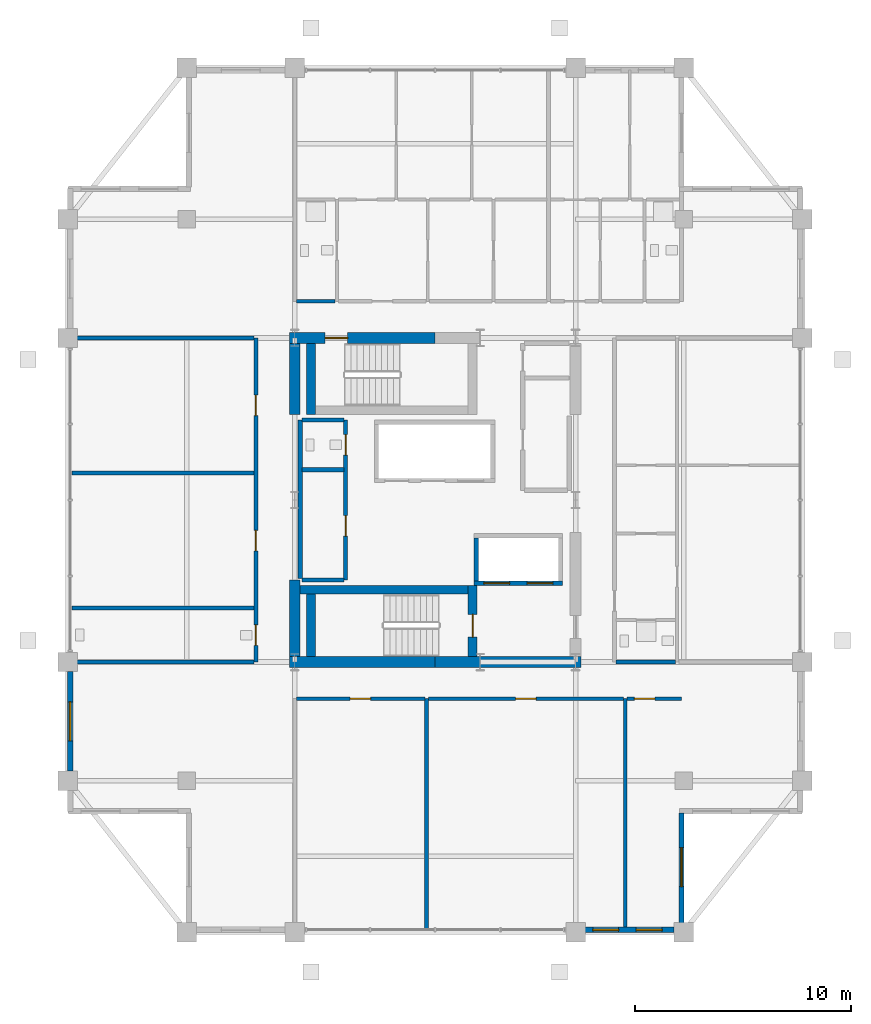
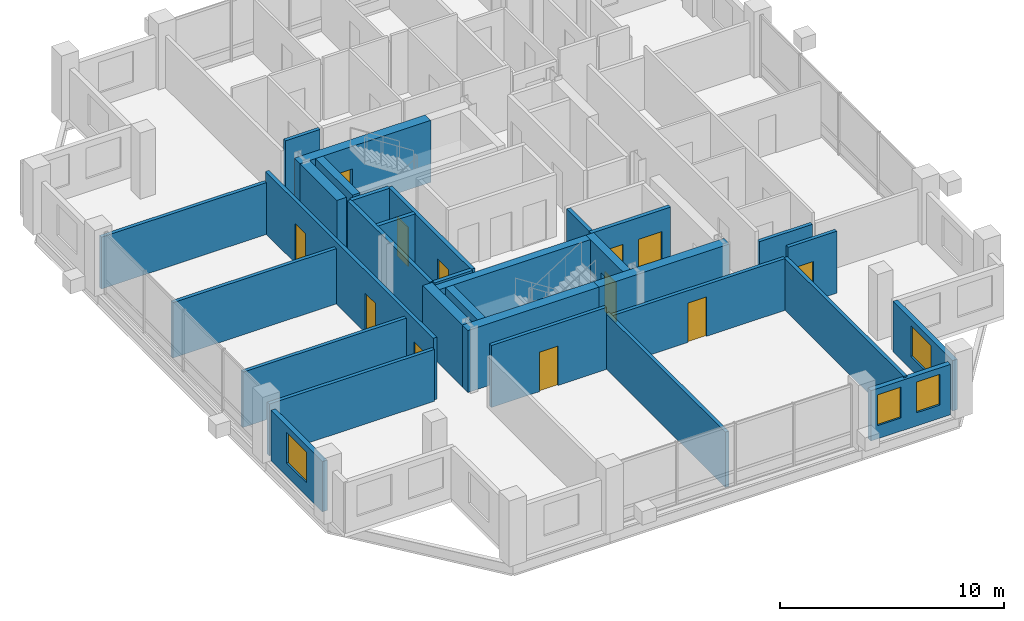
# One storey, part 16 of 21: 31 walls, 12 doors, 4 windows, 16 openings.
"""IFC4 building model written with IfcOpenShell, lengths in metres."""

from ifc_helpers import new_model, si_unit, direction, frame, frame_2d, origin, place, context, subcontext, project, spatial, rectangle, extrude, material, layer, layer_set, type_object, element, fill, save


model = new_model("IFC4")

# Units and contexts
model_context = context("Model", 3, precision=1e-05, world=origin(), true_north=direction((0.0, 1.0)))
body_context = subcontext(model_context, "Body", "Model", "MODEL_VIEW")
ifc_project = project(units=[si_unit("LENGTHUNIT", "METRE"), si_unit("AREAUNIT", "SQUARE_METRE"), si_unit("VOLUMEUNIT", "CUBIC_METRE"), si_unit("PLANEANGLEUNIT", "RADIAN"), si_unit("MASSUNIT", "GRAM", prefix="KILO")], contexts=[model_context])

# Site, building, storey
site_placement = place(None, origin())
site = spatial("IfcSite", under=ifc_project, at=site_placement, CompositionType="ELEMENT")
building_placement = place(site_placement, origin())
building = spatial("IfcBuilding", under=site, at=building_placement, Name="Barlavira Tower and Art Museum", CompositionType="ELEMENT")
storey_placement = place(building_placement, frame((0.0, 0.0, 276.300048828125)))
storey = spatial("IfcBuildingStorey", under=building, at=storey_placement, Name="L72", CompositionType="ELEMENT", Elevation=276.300048828125)

# Walls
ifc_material_1 = material(Name="Concrete C60", Category="concrete")
ifc_layer_1 = layer(ifc_material_1, 0.5, Name="Concrete C60")
ifc_layer_set_1 = layer_set([ifc_layer_1], Name="Concrete C60")
wall_type_1 = type_object("IfcWallType", Name="Core Structural Shear Wall 500 Concrete C60", PredefinedType="SHEAR", material=ifc_layer_set_1)
for number, where, z_axis, x_axis, name in (
    (1, (-6.75, -7.5, 0.0), (0.0, 0.0, 1.0), (1.0, 0.0, 0.0), "L72 Core Shear Wall CS-SW"),
    (2, (0.0, -7.5, 0.0), (0.0, 0.0, 1.0), (1.0, 0.0, 0.0), "L72 Core Shear Wall CS-SE"),
):
    element("IfcWall", number, at=place(storey_placement, frame(where, z_axis=z_axis, x_axis=x_axis)), inside=storey, type_object=wall_type_1, Name=name, PredefinedType="SHEAR", context=body_context, shape_type="SweptSolid", body=[
        extrude(rectangle(XDim=6.75, YDim=0.5, at=frame_2d((3.375, 0.0))), origin(), (0.0, 0.0, 1.0), 3.3798828125),
    ])

# Wall, opening, door
wall_1_placement = place(storey_placement, frame((-6.75, 7.5, 0.0), z_axis=(0.0, 0.0, 1.0), x_axis=(1.0, 0.0, 0.0)))
wall_1 = element("IfcWall", 3, at=wall_1_placement, inside=storey, type_object=wall_type_1, Name="L72 Core Shear Wall CS-NW", PredefinedType="SHEAR", context=body_context, shape_type="SweptSolid", body=[
    extrude(rectangle(XDim=6.75, YDim=0.5, at=frame_2d((3.375, 0.0))), origin(), (0.0, 0.0, 1.0), 3.3798828125),
])
opening_1_placement = place(wall_1_placement, frame((1.64990234375, 0.0, 0.0)))
opening_1 = element("IfcOpeningElement", 4, at=opening_1_placement, cuts=wall_1, Name="Opening FD-90", PredefinedType="OPENING", context=body_context, shape_type="SweptSolid", body=[
    extrude(rectangle(XDim=1.050048828125, YDim=2.14990234375, at=frame_2d((0.52490234375, 1.074951171875))), frame((0.0, 0.260009765625, 0.0), z_axis=(0.0, -1.0, 0.0), x_axis=(1.0, 0.0, 0.0)), (0.0, 0.0, 1.0), 0.52001953125),
])
ifc_material_2 = material(Name="Brushed stainless steel", Category="steel")
door_type_1 = type_object("IfcDoorType", Name="Stair and Refuge Fire Door 1050x2150 FD90S", OperationType="NOTDEFINED", PredefinedType="DOOR", material=ifc_material_2)
door_1_placement = place(opening_1_placement, origin())
door_1 = element("IfcDoor", 5, at=door_1_placement, inside=storey, type_object=door_type_1, Name="L72 Stair ST-T2 Fire Door", OperationType="SINGLE_SWING_LEFT", OverallHeight=2.14990234375, OverallWidth=1.050048828125, PredefinedType="DOOR", context=body_context, shape_type="SweptSolid", body=[
    extrude(rectangle(XDim=1.050048828125, YDim=2.14990234375, at=frame_2d((0.52490234375, 1.074951171875))), frame((0.0, 0.02490234375, 0.0), z_axis=(0.0, -1.0, 0.0), x_axis=(1.0, 0.0, 0.0)), (0.0, 0.0, 1.0), 0.050048828125),
])
fill(opening_1, door_1)

# Walls
wall_2_placement = place(storey_placement, frame((-6.5, -7.25, 0.0), z_axis=(0.0, 0.0, 1.0), x_axis=(0.0, 1.0, 0.0)))
element("IfcWall", 6, at=wall_2_placement, inside=storey, type_object=wall_type_1, Name="L72 Core Shear Wall CS-W1", PredefinedType="SHEAR", context=body_context, shape_type="SweptSolid", body=[
    extrude(rectangle(XDim=3.550048828125, YDim=0.5, at=frame_2d((1.77490234375, 0.0))), origin(), (0.0, 0.0, 1.0), 3.3798828125),
])
wall_3_placement = place(storey_placement, frame((-6.5, 3.949951171875, 0.0), z_axis=(0.0, 0.0, 1.0), x_axis=(0.0, 1.0, 0.0)))
element("IfcWall", 7, at=wall_3_placement, inside=storey, type_object=wall_type_1, Name="L72 Core Shear Wall CS-W2", PredefinedType="SHEAR", context=body_context, shape_type="SweptSolid", body=[
    extrude(rectangle(XDim=3.300048828125, YDim=0.5, at=frame_2d((1.64990234375, 0.0))), origin(), (0.0, 0.0, 1.0), 3.3798828125),
])

# Wall, openings, doors
ifc_material_3 = material(Name="Autoclaved aerated concrete masonry", Category="masonry")
ifc_layer_2 = layer(ifc_material_3, 0.199951171875, Name="Autoclaved aerated concrete masonry")
ifc_layer_set_2 = layer_set([ifc_layer_2], Name="Autoclaved aerated concrete masonry")
wall_type_2 = type_object("IfcWallType", Name="Fire Compartment and Shaft Wall 200", PredefinedType="SOLIDWALL", material=ifc_layer_set_2)
wall_4_placement = place(storey_placement, frame((1.800048828125, -3.85009765625, 0.0), z_axis=(0.0, 0.0, 1.0), x_axis=(1.0, 0.0, 0.0)))
wall_4 = element("IfcWall", 8, at=wall_4_placement, inside=storey, type_object=wall_type_2, Name="L72 Firefighting Lift Front Shaft Wall", PredefinedType="SOLIDWALL", context=body_context, shape_type="SweptSolid", body=[
    extrude(rectangle(XDim=4.099853515625, YDim=0.199951171875, at=frame_2d((2.0498046875, 0.0))), origin(), (0.0, 0.0, 1.0), 3.3798828125),
])
opening_2_placement = place(wall_4_placement, frame((0.449951171875, 0.0, 0.0)))
opening_2 = element("IfcOpeningElement", 9, at=opening_2_placement, cuts=wall_4, Name="Opening LD-F", PredefinedType="OPENING", context=body_context, shape_type="SweptSolid", body=[
    extrude(rectangle(XDim=1.199951171875, YDim=2.199951171875, at=frame_2d((0.60009765625, 1.10009765625))), frame((0.0, 0.10986328125, 0.0), z_axis=(0.0, -1.0, 0.0), x_axis=(1.0, 0.0, 0.0)), (0.0, 0.0, 1.0), 0.219970703125),
])
opening_3_placement = place(wall_4_placement, frame((2.449951171875, 0.0, 0.0)))
opening_3 = element("IfcOpeningElement", 10, at=opening_3_placement, cuts=wall_4, Name="Opening LD-F", PredefinedType="OPENING", context=body_context, shape_type="SweptSolid", body=[
    extrude(rectangle(XDim=1.199951171875, YDim=2.199951171875, at=frame_2d((0.60009765625, 1.10009765625))), frame((0.0, 0.10986328125, 0.0), z_axis=(0.0, -1.0, 0.0), x_axis=(1.0, 0.0, 0.0)), (0.0, 0.0, 1.0), 0.219970703125),
])
door_type_2 = type_object("IfcDoorType", Name="Firefighting and Service Lift Sliding Door 1200x2200 FD120", OperationType="NOTDEFINED", PredefinedType="DOOR", material=ifc_material_2)
door_2_placement = place(opening_2_placement, origin())
door_2 = element("IfcDoor", 11, at=door_2_placement, inside=storey, type_object=door_type_2, Name="L72 Firefighting Lift FF1 Sliding Door", OperationType="DOUBLE_DOOR_SLIDING", OverallHeight=2.199951171875, OverallWidth=1.199951171875, PredefinedType="DOOR", context=body_context, shape_type="SweptSolid", body=[
    extrude(rectangle(XDim=1.199951171875, YDim=2.199951171875, at=frame_2d((0.60009765625, 1.10009765625))), frame((0.0, 0.02490234375, 0.0), z_axis=(0.0, -1.0, 0.0), x_axis=(1.0, 0.0, 0.0)), (0.0, 0.0, 1.0), 0.050048828125),
])
fill(opening_2, door_2)
door_3_placement = place(opening_3_placement, origin())
door_3 = element("IfcDoor", 12, at=door_3_placement, inside=storey, type_object=door_type_2, Name="L72 Firefighting Lift FF2 Sliding Door", OperationType="DOUBLE_DOOR_SLIDING", OverallHeight=2.199951171875, OverallWidth=1.199951171875, PredefinedType="DOOR", context=body_context, shape_type="SweptSolid", body=[
    extrude(rectangle(XDim=1.199951171875, YDim=2.199951171875, at=frame_2d((0.60009765625, 1.10009765625))), frame((0.0, 0.02490234375, 0.0), z_axis=(0.0, -1.0, 0.0), x_axis=(1.0, 0.0, 0.0)), (0.0, 0.0, 1.0), 0.050048828125),
])
fill(opening_3, door_3)

# Walls
wall_5_placement = place(storey_placement, frame((1.89990234375, -3.75, 0.0), z_axis=(0.0, 0.0, 1.0), x_axis=(0.0, 1.0, 0.0)))
element("IfcWall", 13, at=wall_5_placement, inside=storey, type_object=wall_type_2, Name="L72 Firefighting Lift West Shaft Wall", PredefinedType="SOLIDWALL", context=body_context, shape_type="SweptSolid", body=[
    extrude(rectangle(XDim=2.0, YDim=0.199951171875, at=frame_2d((1.0, 0.0))), origin(), (0.0, 0.0, 1.0), 3.3798828125),
])
wall_6_placement = place(storey_placement, frame((-6.25, -3.639892578125, 0.0), z_axis=(0.0, 0.0, 1.0), x_axis=(0.0, 1.0, 0.0)))
element("IfcWall", 14, at=wall_6_placement, inside=storey, type_object=wall_type_2, Name="L72 Partition Wall 4", PredefinedType="SOLIDWALL", context=body_context, shape_type="SweptSolid", body=[
    extrude(rectangle(XDim=7.33984375, YDim=0.199951171875, at=frame_2d((3.669921875, 0.0))), origin(), (0.0, 0.0, 1.0), 3.3798828125),
])

# Wall, openings, doors
wall_7_placement = place(storey_placement, frame((-4.14990234375, -3.699951171875, 0.0), z_axis=(0.0, 0.0, 1.0), x_axis=(0.0, 1.0, 0.0)))
wall_7 = element("IfcWall", 15, at=wall_7_placement, inside=storey, type_object=wall_type_2, Name="L72 Partition Wall 6", PredefinedType="SOLIDWALL", context=body_context, shape_type="SweptSolid", body=[
    extrude(rectangle(XDim=7.39990234375, YDim=0.199951171875, at=frame_2d((3.699951171875, 0.0))), origin(), (0.0, 0.0, 1.0), 3.3798828125),
])
opening_4_placement = place(wall_7_placement, frame((2.02490234375, 0.0, 0.0)))
opening_4 = element("IfcOpeningElement", 16, at=opening_4_placement, cuts=wall_7, Name="Opening FD-60", PredefinedType="OPENING", context=body_context, shape_type="SweptSolid", body=[
    extrude(rectangle(XDim=0.949951171875, YDim=2.14990234375, at=frame_2d((0.47509765625, 1.074951171875))), frame((0.0, 0.10986328125, 0.0), z_axis=(0.0, -1.0, 0.0), x_axis=(1.0, 0.0, 0.0)), (0.0, 0.0, 1.0), 0.219970703125),
])
opening_5_placement = place(wall_7_placement, frame((5.77490234375, 0.0, 0.0)))
opening_5 = element("IfcOpeningElement", 17, at=opening_5_placement, cuts=wall_7, Name="Opening FD-60", PredefinedType="OPENING", context=body_context, shape_type="SweptSolid", body=[
    extrude(rectangle(XDim=0.949951171875, YDim=2.14990234375, at=frame_2d((0.47509765625, 1.074951171875))), frame((0.0, 0.10986328125, 0.0), z_axis=(0.0, -1.0, 0.0), x_axis=(1.0, 0.0, 0.0)), (0.0, 0.0, 1.0), 0.219970703125),
])
door_type_3 = type_object("IfcDoorType", Name="Apartment Entrance and Riser Fire Door 950x2150 FD60S", OperationType="NOTDEFINED", PredefinedType="DOOR", material=ifc_material_2)
door_4_placement = place(opening_4_placement, origin())
door_4 = element("IfcDoor", 18, at=door_4_placement, inside=storey, type_object=door_type_3, Name="Reclaimed Core Resident Parcel Room Door", OperationType="SINGLE_SWING_RIGHT", OverallHeight=2.14990234375, OverallWidth=0.949951171875, PredefinedType="DOOR", context=body_context, shape_type="SweptSolid", body=[
    extrude(rectangle(XDim=0.949951171875, YDim=2.14990234375, at=frame_2d((0.47509765625, 1.074951171875))), frame((0.0, 0.02490234375, 0.0), z_axis=(0.0, -1.0, 0.0), x_axis=(1.0, 0.0, 0.0)), (0.0, 0.0, 1.0), 0.050048828125),
])
fill(opening_4, door_4)
door_5_placement = place(opening_5_placement, origin())
door_5 = element("IfcDoor", 19, at=door_5_placement, inside=storey, type_object=door_type_3, Name="Reclaimed Core Accessible WC Door", OperationType="SINGLE_SWING_LEFT", OverallHeight=2.14990234375, OverallWidth=0.949951171875, PredefinedType="DOOR", context=body_context, shape_type="SweptSolid", body=[
    extrude(rectangle(XDim=0.949951171875, YDim=2.14990234375, at=frame_2d((0.47509765625, 1.074951171875))), frame((0.0, 0.02490234375, 0.0), z_axis=(0.0, -1.0, 0.0), x_axis=(1.0, 0.0, 0.0)), (0.0, 0.0, 1.0), 0.050048828125),
])
fill(opening_5, door_5)

# Walls
for number, where, z_axis, x_axis, name in (
    (20, (-6.169921875, -3.699951171875, 0.0), (0.0, 0.0, 1.0), (1.0, 0.0, 0.0), "L72 Partition Wall 30"),
    (21, (-6.169921875, 1.39990234375, 0.0), (0.0, 0.0, 1.0), (1.0, 0.0, 0.0), "L72 Partition Wall 34"),
    (22, (-6.169921875, 3.699951171875, 0.0), (0.0, 0.0, 1.0), (1.0, 0.0, 0.0), "L72 Partition Wall 37"),
):
    element("IfcWall", number, at=place(storey_placement, frame(where, z_axis=z_axis, x_axis=x_axis)), inside=storey, type_object=wall_type_2, Name=name, PredefinedType="SOLIDWALL", context=body_context, shape_type="SweptSolid", body=[
        extrude(rectangle(XDim=1.93994140625, YDim=0.199951171875, at=frame_2d((0.969970703125, 0.0))), origin(), (0.0, 0.0, 1.0), 3.3798828125),
    ])

# Wall, openings, doors
ifc_material_4 = material(Name="Gypsum acoustic stud partition", Category="gypsum")
ifc_layer_3 = layer(ifc_material_4, 0.179931640625, Name="Gypsum acoustic stud partition")
ifc_layer_set_3 = layer_set([ifc_layer_3], Name="Gypsum acoustic stud partition")
wall_type_3 = type_object("IfcWallType", Name="Inter-Tenancy Party Partition Wall 180", PredefinedType="PARTITIONING", material=ifc_layer_set_3)
wall_8_placement = place(storey_placement, frame((-8.300048828125, -7.5, 0.0), z_axis=(0.0, 0.0, 1.0), x_axis=(0.0, 1.0, 0.0)))
wall_8 = element("IfcWall", 23, at=wall_8_placement, inside=storey, type_object=wall_type_3, Name="L72 Partition Wall 1", PredefinedType="PARTITIONING", context=body_context, shape_type="SweptSolid", body=[
    extrude(rectangle(XDim=15.0, YDim=0.179931640625, at=frame_2d((7.5, 0.0))), origin(), (0.0, 0.0, 1.0), 3.3798828125),
])
opening_6_placement = place(wall_8_placement, frame((0.77490234375, 0.0, 0.0)))
opening_6 = element("IfcOpeningElement", 24, at=opening_6_placement, cuts=wall_8, Name="Opening FD-60", PredefinedType="OPENING", context=body_context, shape_type="SweptSolid", body=[
    extrude(rectangle(XDim=0.949951171875, YDim=2.14990234375, at=frame_2d((0.47509765625, 1.074951171875))), frame((0.0, 0.10009765625, 0.0), z_axis=(0.0, -1.0, 0.0), x_axis=(1.0, 0.0, 0.0)), (0.0, 0.0, 1.0), 0.199951171875),
])
opening_7_placement = place(wall_8_placement, frame((5.14501953125, 0.0, 0.0)))
opening_7 = element("IfcOpeningElement", 25, at=opening_7_placement, cuts=wall_8, Name="Opening FD-60", PredefinedType="OPENING", context=body_context, shape_type="SweptSolid", body=[
    extrude(rectangle(XDim=0.949951171875, YDim=2.14990234375, at=frame_2d((0.47509765625, 1.074951171875))), frame((0.0, 0.10009765625, 0.0), z_axis=(0.0, -1.0, 0.0), x_axis=(1.0, 0.0, 0.0)), (0.0, 0.0, 1.0), 0.199951171875),
])
opening_8_placement = place(wall_8_placement, frame((11.405029296875, 0.0, 0.0)))
opening_8 = element("IfcOpeningElement", 26, at=opening_8_placement, cuts=wall_8, Name="Opening FD-60", PredefinedType="OPENING", context=body_context, shape_type="SweptSolid", body=[
    extrude(rectangle(XDim=0.949951171875, YDim=2.14990234375, at=frame_2d((0.47509765625, 1.074951171875))), frame((0.0, 0.10009765625, 0.0), z_axis=(0.0, -1.0, 0.0), x_axis=(1.0, 0.0, 0.0)), (0.0, 0.0, 1.0), 0.199951171875),
])
door_6_placement = place(opening_6_placement, origin())
door_6 = element("IfcDoor", 27, at=door_6_placement, inside=storey, type_object=door_type_3, Name="Wellness Changing and Accessible Shower WC Door", OperationType="SINGLE_SWING_LEFT", OverallHeight=2.14990234375, OverallWidth=0.949951171875, PredefinedType="DOOR", context=body_context, shape_type="SweptSolid", body=[
    extrude(rectangle(XDim=0.949951171875, YDim=2.14990234375, at=frame_2d((0.47509765625, 1.074951171875))), frame((0.0, 0.02490234375, 0.0), z_axis=(0.0, -1.0, 0.0), x_axis=(1.0, 0.0, 0.0)), (0.0, 0.0, 1.0), 0.050048828125),
])
fill(opening_6, door_6)
door_7_placement = place(opening_7_placement, origin())
door_7 = element("IfcDoor", 28, at=door_7_placement, inside=storey, type_object=door_type_3, Name="Resident Ocean-View Fitness Studio Door", OperationType="SINGLE_SWING_RIGHT", OverallHeight=2.14990234375, OverallWidth=0.949951171875, PredefinedType="DOOR", context=body_context, shape_type="SweptSolid", body=[
    extrude(rectangle(XDim=0.949951171875, YDim=2.14990234375, at=frame_2d((0.47509765625, 1.074951171875))), frame((0.0, 0.02490234375, 0.0), z_axis=(0.0, -1.0, 0.0), x_axis=(1.0, 0.0, 0.0)), (0.0, 0.0, 1.0), 0.050048828125),
])
fill(opening_7, door_7)
door_8_placement = place(opening_8_placement, origin())
door_8 = element("IfcDoor", 29, at=door_8_placement, inside=storey, type_object=door_type_3, Name="Coastal Hydrotherapy and Yoga Lounge Door", OperationType="SINGLE_SWING_LEFT", OverallHeight=2.14990234375, OverallWidth=0.949951171875, PredefinedType="DOOR", context=body_context, shape_type="SweptSolid", body=[
    extrude(rectangle(XDim=0.949951171875, YDim=2.14990234375, at=frame_2d((0.47509765625, 1.074951171875))), frame((0.0, 0.02490234375, 0.0), z_axis=(0.0, -1.0, 0.0), x_axis=(1.0, 0.0, 0.0)), (0.0, 0.0, 1.0), 0.050048828125),
])
fill(opening_8, door_8)

# Walls
wall_9_placement = place(storey_placement, frame((-0.39990234375, -19.89990234375, 0.0), z_axis=(0.0, 0.0, 1.0), x_axis=(0.0, 1.0, 0.0)))
element("IfcWall", 30, at=wall_9_placement, inside=storey, type_object=wall_type_3, Name="L72 Partition Wall 8", PredefinedType="PARTITIONING", context=body_context, shape_type="SweptSolid", body=[
    extrude(rectangle(XDim=10.699951171875, YDim=0.179931640625, at=frame_2d((5.35009765625, 0.0))), origin(), (0.0, 0.0, 1.0), 3.01806640625),
])
wall_10_placement = place(storey_placement, frame((8.800048828125, -19.89990234375, 0.0), z_axis=(0.0, 0.0, 1.0), x_axis=(0.0, 1.0, 0.0)))
element("IfcWall", 31, at=wall_10_placement, inside=storey, type_object=wall_type_3, Name="L72 Partition Wall 17", PredefinedType="PARTITIONING", context=body_context, shape_type="SweptSolid", body=[
    extrude(rectangle(XDim=10.699951171875, YDim=0.179931640625, at=frame_2d((5.35009765625, 0.0))), origin(), (0.0, 0.0, 1.0), 2.825927734375),
])

# Wall, opening, door
wall_11_placement = place(storey_placement, frame((-6.419921875, -9.199951171875, 0.0), z_axis=(0.0, 0.0, 1.0), x_axis=(1.0, 0.0, 0.0)))
wall_11 = element("IfcWall", 32, at=wall_11_placement, inside=storey, type_object=wall_type_3, Name="L72 Partition Wall 22", PredefinedType="PARTITIONING", context=body_context, shape_type="SweptSolid", body=[
    extrude(rectangle(XDim=5.93994140625, YDim=0.179931640625, at=frame_2d((2.969970703125, 0.0))), origin(), (0.0, 0.0, 1.0), 3.3798828125),
])
opening_9_placement = place(wall_11_placement, frame((2.485107421875, 0.0, 0.0)))
opening_9 = element("IfcOpeningElement", 33, at=opening_9_placement, cuts=wall_11, Name="Opening FD-60", PredefinedType="OPENING", context=body_context, shape_type="SweptSolid", body=[
    extrude(rectangle(XDim=0.949951171875, YDim=2.14990234375, at=frame_2d((0.47509765625, 1.074951171875))), frame((0.0, 0.10009765625, 0.0), z_axis=(0.0, -1.0, 0.0), x_axis=(1.0, 0.0, 0.0)), (0.0, 0.0, 1.0), 0.199951171875),
])
door_9_placement = place(opening_9_placement, origin())
door_9 = element("IfcDoor", 34, at=door_9_placement, inside=storey, type_object=door_type_3, Name="Resident Rare-Book Reading Room Door", OperationType="SINGLE_SWING_RIGHT", OverallHeight=2.14990234375, OverallWidth=0.949951171875, PredefinedType="DOOR", context=body_context, shape_type="SweptSolid", body=[
    extrude(rectangle(XDim=0.949951171875, YDim=2.14990234375, at=frame_2d((0.47509765625, 1.074951171875))), frame((0.0, 0.02490234375, 0.0), z_axis=(0.0, -1.0, 0.0), x_axis=(1.0, 0.0, 0.0)), (0.0, 0.0, 1.0), 0.050048828125),
])
fill(opening_9, door_9)

wall_12_placement = place(storey_placement, frame((-0.320068359375, -9.199951171875, 0.0), z_axis=(0.0, 0.0, 1.0), x_axis=(1.0, 0.0, 0.0)))
wall_12 = element("IfcWall", 35, at=wall_12_placement, inside=storey, type_object=wall_type_3, Name="L72 Partition Wall 23", PredefinedType="PARTITIONING", context=body_context, shape_type="SweptSolid", body=[
    extrude(rectangle(XDim=9.0400390625, YDim=0.179931640625, at=frame_2d((4.52001953125, 0.0))), origin(), (0.0, 0.0, 1.0), 2.825927734375),
])
opening_10_placement = place(wall_12_placement, frame((4.044921875, 0.0, 0.0)))
opening_10 = element("IfcOpeningElement", 36, at=opening_10_placement, cuts=wall_12, Name="Opening FD-60", PredefinedType="OPENING", context=body_context, shape_type="SweptSolid", body=[
    extrude(rectangle(XDim=0.949951171875, YDim=2.14990234375, at=frame_2d((0.47509765625, 1.074951171875))), frame((0.0, 0.10009765625, 0.0), z_axis=(0.0, -1.0, 0.0), x_axis=(1.0, 0.0, 0.0)), (0.0, 0.0, 1.0), 0.199951171875),
])
door_10_placement = place(opening_10_placement, origin())
door_10 = element("IfcDoor", 37, at=door_10_placement, inside=storey, type_object=door_type_3, Name="Private Coastal Dining Salon Door", OperationType="SINGLE_SWING_LEFT", OverallHeight=2.14990234375, OverallWidth=0.949951171875, PredefinedType="DOOR", context=body_context, shape_type="SweptSolid", body=[
    extrude(rectangle(XDim=0.949951171875, YDim=2.14990234375, at=frame_2d((0.47509765625, 1.074951171875))), frame((0.0, 0.02490234375, 0.0), z_axis=(0.0, -1.0, 0.0), x_axis=(1.0, 0.0, 0.0)), (0.0, 0.0, 1.0), 0.050048828125),
])
fill(opening_10, door_10)

wall_13_placement = place(storey_placement, frame((8.8798828125, -9.199951171875, 0.0), z_axis=(0.0, 0.0, 1.0), x_axis=(1.0, 0.0, 0.0)))
wall_13 = element("IfcWall", 38, at=wall_13_placement, inside=storey, type_object=wall_type_3, Name="L72 Partition Wall 24", PredefinedType="PARTITIONING", context=body_context, shape_type="SweptSolid", body=[
    extrude(rectangle(XDim=2.52001953125, YDim=0.179931640625, at=frame_2d((1.260009765625, 0.0))), origin(), (0.0, 0.0, 1.0), 3.3798828125),
])
opening_11_placement = place(wall_13_placement, frame((0.344970703125, 0.0, 0.0)))
opening_11 = element("IfcOpeningElement", 39, at=opening_11_placement, cuts=wall_13, Name="Opening FD-60", PredefinedType="OPENING", context=body_context, shape_type="SweptSolid", body=[
    extrude(rectangle(XDim=0.949951171875, YDim=2.14990234375, at=frame_2d((0.47509765625, 1.074951171875))), frame((0.0, 0.10009765625, 0.0), z_axis=(0.0, -1.0, 0.0), x_axis=(1.0, 0.0, 0.0)), (0.0, 0.0, 1.0), 0.199951171875),
])
door_11_placement = place(opening_11_placement, origin())
door_11 = element("IfcDoor", 40, at=door_11_placement, inside=storey, type_object=door_type_3, Name="Shared Catering Kitchen Door", OperationType="SINGLE_SWING_RIGHT", OverallHeight=2.14990234375, OverallWidth=0.949951171875, PredefinedType="DOOR", context=body_context, shape_type="SweptSolid", body=[
    extrude(rectangle(XDim=0.949951171875, YDim=2.14990234375, at=frame_2d((0.47509765625, 1.074951171875))), frame((0.0, 0.02490234375, 0.0), z_axis=(0.0, -1.0, 0.0), x_axis=(1.0, 0.0, 0.0)), (0.0, 0.0, 1.0), 0.050048828125),
])
fill(opening_11, door_11)

# Walls
wall_14_placement = place(storey_placement, frame((-16.89990234375, -7.5, 0.0), z_axis=(0.0, 0.0, 1.0), x_axis=(1.0, 0.0, 0.0)))
element("IfcWall", 41, at=wall_14_placement, inside=storey, type_object=wall_type_3, Name="L72 Partition Wall 25", PredefinedType="PARTITIONING", context=body_context, shape_type="SweptSolid", body=[
    extrude(rectangle(XDim=8.52001953125, YDim=0.179931640625, at=frame_2d((4.260009765625, 0.0))), origin(), (0.0, 0.0, 1.0), 2.825927734375),
])
wall_15_placement = place(storey_placement, frame((8.3798828125, -7.5, 0.0), z_axis=(0.0, 0.0, 1.0), x_axis=(1.0, 0.0, 0.0)))
element("IfcWall", 42, at=wall_15_placement, inside=storey, type_object=wall_type_3, Name="L72 Partition Wall 26", PredefinedType="PARTITIONING", context=body_context, shape_type="SweptSolid", body=[
    extrude(rectangle(XDim=2.740234375, YDim=0.179931640625, at=frame_2d((1.3701171875, 0.0))), origin(), (0.0, 0.0, 1.0), 2.825927734375),
])
for number, where, z_axis, x_axis, name in (
    (43, (-16.820068359375, -5.0, 0.0), (0.0, 0.0, 1.0), (1.0, 0.0, 0.0), "L72 Partition Wall 29"),
    (44, (-16.820068359375, 1.25, 0.0), (0.0, 0.0, 1.0), (1.0, 0.0, 0.0), "L72 Partition Wall 33"),
):
    element("IfcWall", number, at=place(storey_placement, frame(where, z_axis=z_axis, x_axis=x_axis)), inside=storey, type_object=wall_type_3, Name=name, PredefinedType="PARTITIONING", context=body_context, shape_type="SweptSolid", body=[
        extrude(rectangle(XDim=8.440185546875, YDim=0.179931640625, at=frame_2d((4.22021484375, 0.0))), origin(), (0.0, 0.0, 1.0), 3.01806640625),
    ])
wall_16_placement = place(storey_placement, frame((-16.89990234375, 7.5, 0.0), z_axis=(0.0, 0.0, 1.0), x_axis=(1.0, 0.0, 0.0)))
element("IfcWall", 45, at=wall_16_placement, inside=storey, type_object=wall_type_3, Name="L72 Partition Wall 40", PredefinedType="PARTITIONING", context=body_context, shape_type="SweptSolid", body=[
    extrude(rectangle(XDim=8.52001953125, YDim=0.179931640625, at=frame_2d((4.260009765625, 0.0))), origin(), (0.0, 0.0, 1.0), 2.825927734375),
])
wall_17_placement = place(storey_placement, frame((-6.419921875, 9.199951171875, 0.0), z_axis=(0.0, 0.0, 1.0), x_axis=(1.0, 0.0, 0.0)))
element("IfcWall", 46, at=wall_17_placement, inside=storey, type_object=wall_type_3, Name="L72 Partition Wall 43", PredefinedType="PARTITIONING", context=body_context, shape_type="SweptSolid", body=[
    extrude(rectangle(XDim=1.7900390625, YDim=0.179931640625, at=frame_2d((0.89501953125, 0.0))), origin(), (0.0, 0.0, 1.0), 3.3798828125),
])

# Wall, openings, windows
ifc_material_5 = material(Name="Precast concrete C40", Category="concrete")
ifc_layer_4 = layer(ifc_material_5, 0.25, Name="Precast concrete C40")
ifc_layer_set_4 = layer_set([ifc_layer_4], Name="Precast concrete C40")
wall_type_4 = type_object("IfcWallType", Name="Notched Corner Spandrel Wall 250 Precast Concrete C40", PredefinedType="SOLIDWALL", material=ifc_layer_set_4)
wall_18_placement = place(storey_placement, frame((6.945068359375, -19.89990234375, 0.0), z_axis=(0.0, 0.0, 1.0), x_axis=(1.0, 0.0, 0.0)))
wall_18 = element("IfcWall", 47, at=wall_18_placement, inside=storey, type_object=wall_type_4, Name="L72 Coastal Facade Pier Wall CW4-L72-S-3", PredefinedType="SOLIDWALL", context=body_context, shape_type="SweptSolid", body=[
    extrude(rectangle(XDim=4.10986328125, YDim=0.25, at=frame_2d((2.054931640625, 0.0))), origin(), (0.0, 0.0, 1.0), 2.748046875),
])
opening_12_placement = place(wall_18_placement, frame((0.35009765625, 0.0, 0.719970703125)))
opening_12 = element("IfcOpeningElement", 48, at=opening_12_placement, cuts=wall_18, Name="Opening WN-05", PredefinedType="OPENING", context=body_context, shape_type="SweptSolid", body=[
    extrude(rectangle(XDim=1.199951171875, YDim=1.679931640625, at=frame_2d((0.60009765625, 0.83984375))), frame((0.0, 0.135009765625, 0.0), z_axis=(0.0, -1.0, 0.0), x_axis=(1.0, 0.0, 0.0)), (0.0, 0.0, 1.0), 0.27001953125),
])
opening_13_placement = place(wall_18_placement, frame((2.360107421875, 0.0, 0.719970703125)))
opening_13 = element("IfcOpeningElement", 49, at=opening_13_placement, cuts=wall_18, Name="Opening WN-05", PredefinedType="OPENING", context=body_context, shape_type="SweptSolid", body=[
    extrude(rectangle(XDim=1.199951171875, YDim=1.679931640625, at=frame_2d((0.60009765625, 0.83984375))), frame((0.0, 0.135009765625, 0.0), z_axis=(0.0, -1.0, 0.0), x_axis=(1.0, 0.0, 0.0)), (0.0, 0.0, 1.0), 0.27001953125),
])
ifc_material_6 = material(Name="Low-iron coastal laminated glass", Category="glass")
window_type_1 = type_object("IfcWindowType", Name="Recessed Flank Pier Punch Window 1200x1680", PartitioningType="SINGLE_PANEL", PredefinedType="WINDOW", material=ifc_material_6)
window_1_placement = place(opening_12_placement, origin())
window_1 = element("IfcWindow", 50, at=window_1_placement, inside=storey, type_object=window_type_1, Name="L72 Punched Facade Window EWP-CW4-L72-S-3-1", OverallHeight=1.679931640625, OverallWidth=1.199951171875, PartitioningType="SINGLE_PANEL", PredefinedType="WINDOW", context=body_context, shape_type="SweptSolid", body=[
    extrude(rectangle(XDim=1.199951171875, YDim=1.679931640625, at=frame_2d((0.60009765625, 0.83984375))), frame((0.0, 0.030029296875, 0.0), z_axis=(0.0, -1.0, 0.0), x_axis=(1.0, 0.0, 0.0)), (0.0, 0.0, 1.0), 0.06005859375),
])
fill(opening_12, window_1)
window_2_placement = place(opening_13_placement, origin())
window_2 = element("IfcWindow", 51, at=window_2_placement, inside=storey, type_object=window_type_1, Name="L72 Punched Facade Window EWP-CW4-L72-S-3-2", OverallHeight=1.679931640625, OverallWidth=1.199951171875, PartitioningType="SINGLE_PANEL", PredefinedType="WINDOW", context=body_context, shape_type="SweptSolid", body=[
    extrude(rectangle(XDim=1.199951171875, YDim=1.679931640625, at=frame_2d((0.60009765625, 0.83984375))), frame((0.0, 0.030029296875, 0.0), z_axis=(0.0, -1.0, 0.0), x_axis=(1.0, 0.0, 0.0)), (0.0, 0.0, 1.0), 0.06005859375),
])
fill(opening_13, window_2)

# Wall, opening, window
wall_19_placement = place(storey_placement, frame((-16.89990234375, -7.945068359375, 0.0), z_axis=(0.0, 0.0, 1.0), x_axis=(0.0, -1.0, 0.0)))
wall_19 = element("IfcWall", 52, at=wall_19_placement, inside=storey, type_object=wall_type_4, Name="L72 Coastal Facade Pier Wall CW4-L72-W-4", PredefinedType="SOLIDWALL", context=body_context, shape_type="SweptSolid", body=[
    extrude(rectangle(XDim=4.60986328125, YDim=0.25, at=frame_2d((2.304931640625, 0.0))), origin(), (0.0, 0.0, 1.0), 2.748046875),
])
opening_14_placement = place(wall_19_placement, frame((1.405029296875, 0.0, 0.719970703125)))
opening_14 = element("IfcOpeningElement", 53, at=opening_14_placement, cuts=wall_19, Name="Opening WN-01", PredefinedType="OPENING", context=body_context, shape_type="SweptSolid", body=[
    extrude(rectangle(XDim=1.800048828125, YDim=1.679931640625, at=frame_2d((0.89990234375, 0.83984375))), frame((0.0, 0.135009765625, 0.0), z_axis=(0.0, -1.0, 0.0), x_axis=(1.0, 0.0, 0.0)), (0.0, 0.0, 1.0), 0.27001953125),
])
window_type_2 = type_object("IfcWindowType", Name="Recessed Notch Corner Punch Window 1800x1680", PartitioningType="SINGLE_PANEL", PredefinedType="WINDOW", material=ifc_material_6)
window_3_placement = place(opening_14_placement, origin())
window_3 = element("IfcWindow", 54, at=window_3_placement, inside=storey, type_object=window_type_2, Name="L72 Punched Facade Window EWP-CW4-L72-W-4-1", OverallHeight=1.679931640625, OverallWidth=1.800048828125, PartitioningType="SINGLE_PANEL", PredefinedType="WINDOW", context=body_context, shape_type="SweptSolid", body=[
    extrude(rectangle(XDim=1.800048828125, YDim=1.679931640625, at=frame_2d((0.89990234375, 0.83984375))), frame((0.0, 0.030029296875, 0.0), z_axis=(0.0, -1.0, 0.0), x_axis=(1.0, 0.0, 0.0)), (0.0, 0.0, 1.0), 0.06005859375),
])
fill(opening_14, window_3)

wall_20_placement = place(storey_placement, frame((11.39990234375, -19.820068359375, 0.0), z_axis=(0.0, 0.0, 1.0), x_axis=(0.0, 1.0, 0.0)))
wall_20 = element("IfcWall", 55, at=wall_20_placement, inside=storey, type_object=wall_type_4, Name="L72 Notch Corner Wall SE1", PredefinedType="SOLIDWALL", context=body_context, shape_type="SweptSolid", body=[
    extrude(rectangle(XDim=5.340087890625, YDim=0.25, at=frame_2d((2.669921875, 0.0))), origin(), (0.0, 0.0, 1.0), 2.748046875),
])
opening_15_placement = place(wall_20_placement, frame((1.925048828125, 0.0, 0.719970703125)))
opening_15 = element("IfcOpeningElement", 56, at=opening_15_placement, cuts=wall_20, Name="Opening WN-01", PredefinedType="OPENING", context=body_context, shape_type="SweptSolid", body=[
    extrude(rectangle(XDim=1.800048828125, YDim=1.679931640625, at=frame_2d((0.89990234375, 0.83984375))), frame((0.0, 0.135009765625, 0.0), z_axis=(0.0, -1.0, 0.0), x_axis=(1.0, 0.0, 0.0)), (0.0, 0.0, 1.0), 0.27001953125),
])
window_4_placement = place(opening_15_placement, origin())
window_4 = element("IfcWindow", 57, at=window_4_placement, inside=storey, type_object=window_type_2, Name="L72 Punched Facade Window EW-NTC-L72-SE1-1", OverallHeight=1.679931640625, OverallWidth=1.800048828125, PartitioningType="SINGLE_PANEL", PredefinedType="WINDOW", context=body_context, shape_type="SweptSolid", body=[
    extrude(rectangle(XDim=1.800048828125, YDim=1.679931640625, at=frame_2d((0.89990234375, 0.83984375))), frame((0.0, 0.030029296875, 0.0), z_axis=(0.0, -1.0, 0.0), x_axis=(1.0, 0.0, 0.0)), (0.0, 0.0, 1.0), 0.06005859375),
])
fill(opening_15, window_4)

# Walls
ifc_material_7 = material(Name="Concrete C55", Category="concrete")
ifc_layer_5 = layer(ifc_material_7, 0.39990234375, Name="Concrete C55")
ifc_layer_set_5 = layer_set([ifc_layer_5], Name="Concrete C55")
wall_type_5 = type_object("IfcWallType", Name="Upper Core Shear Wall 400 Concrete C55", PredefinedType="SHEAR", material=ifc_layer_set_5)
wall_21_placement = place(storey_placement, frame((-5.75, -7.25, 0.0), z_axis=(0.0, 0.0, 1.0), x_axis=(0.0, 1.0, 0.0)))
element("IfcWall", 58, at=wall_21_placement, inside=storey, type_object=wall_type_5, Name="L72 ST-T1 West Half-Landing Wall", PredefinedType="SHEAR", context=body_context, shape_type="SweptSolid", body=[
    extrude(rectangle(XDim=2.89990234375, YDim=0.39990234375, at=frame_2d((1.449951171875, 0.0))), origin(), (0.0, 0.0, 1.0), 3.3798828125),
])
wall_22_placement = place(storey_placement, frame((-6.25, -4.14990234375, 0.0), z_axis=(0.0, 0.0, 1.0), x_axis=(1.0, 0.0, 0.0)))
element("IfcWall", 59, at=wall_22_placement, inside=storey, type_object=wall_type_5, Name="L72 ST-T1 North Shaft Wall", PredefinedType="SHEAR", context=body_context, shape_type="SweptSolid", body=[
    extrude(rectangle(XDim=7.780029296875, YDim=0.39990234375, at=frame_2d((3.89013671875, 0.0))), origin(), (0.0, 0.0, 1.0), 3.3798828125),
])

# Wall, opening, door
wall_23_placement = place(storey_placement, frame((1.72998046875, -7.25, 0.0), z_axis=(0.0, 0.0, 1.0), x_axis=(0.0, 1.0, 0.0)))
wall_23 = element("IfcWall", 60, at=wall_23_placement, inside=storey, type_object=wall_type_5, Name="L72 ST-T1 East Landing Wall", PredefinedType="SHEAR", context=body_context, shape_type="SweptSolid", body=[
    extrude(rectangle(XDim=3.300048828125, YDim=0.39990234375, at=frame_2d((1.64990234375, 0.0))), origin(), (0.0, 0.0, 1.0), 3.3798828125),
])
opening_16_placement = place(wall_23_placement, frame((0.89990234375, 0.0, 0.0)))
opening_16 = element("IfcOpeningElement", 61, at=opening_16_placement, cuts=wall_23, Name="Opening FD-90", PredefinedType="OPENING", context=body_context, shape_type="SweptSolid", body=[
    extrude(rectangle(XDim=1.050048828125, YDim=2.14990234375, at=frame_2d((0.52490234375, 1.074951171875))), frame((0.0, 0.2099609375, 0.0), z_axis=(0.0, -1.0, 0.0), x_axis=(1.0, 0.0, 0.0)), (0.0, 0.0, 1.0), 0.419921875),
])
door_12_placement = place(opening_16_placement, origin())
door_12 = element("IfcDoor", 62, at=door_12_placement, inside=storey, type_object=door_type_1, Name="L72 Stair ST-T1 Fire Door", OperationType="SINGLE_SWING_RIGHT", OverallHeight=2.14990234375, OverallWidth=1.050048828125, PredefinedType="DOOR", context=body_context, shape_type="SweptSolid", body=[
    extrude(rectangle(XDim=1.050048828125, YDim=2.14990234375, at=frame_2d((0.52490234375, 1.074951171875))), frame((0.0, 0.02490234375, 0.0), z_axis=(0.0, -1.0, 0.0), x_axis=(1.0, 0.0, 0.0)), (0.0, 0.0, 1.0), 0.050048828125),
])
fill(opening_16, door_12)

# Wall
wall_24_placement = place(storey_placement, frame((-5.75, 3.949951171875, 0.0), z_axis=(0.0, 0.0, 1.0), x_axis=(0.0, 1.0, 0.0)))
element("IfcWall", 63, at=wall_24_placement, inside=storey, type_object=wall_type_5, Name="L72 ST-T2 West Shaft Wall", PredefinedType="SHEAR", context=body_context, shape_type="SweptSolid", body=[
    extrude(rectangle(XDim=3.300048828125, YDim=0.39990234375, at=frame_2d((1.64990234375, 0.0))), origin(), (0.0, 0.0, 1.0), 3.3798828125),
])

save(model, "model.ifc")
